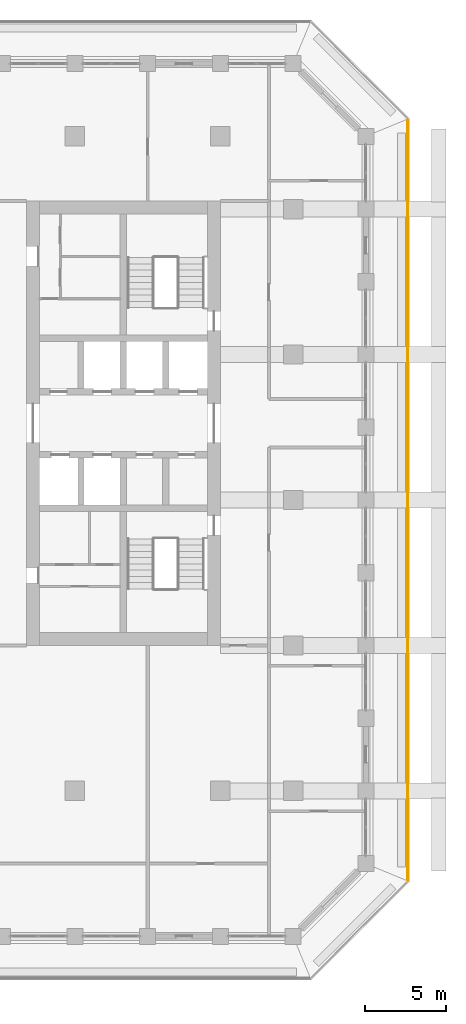
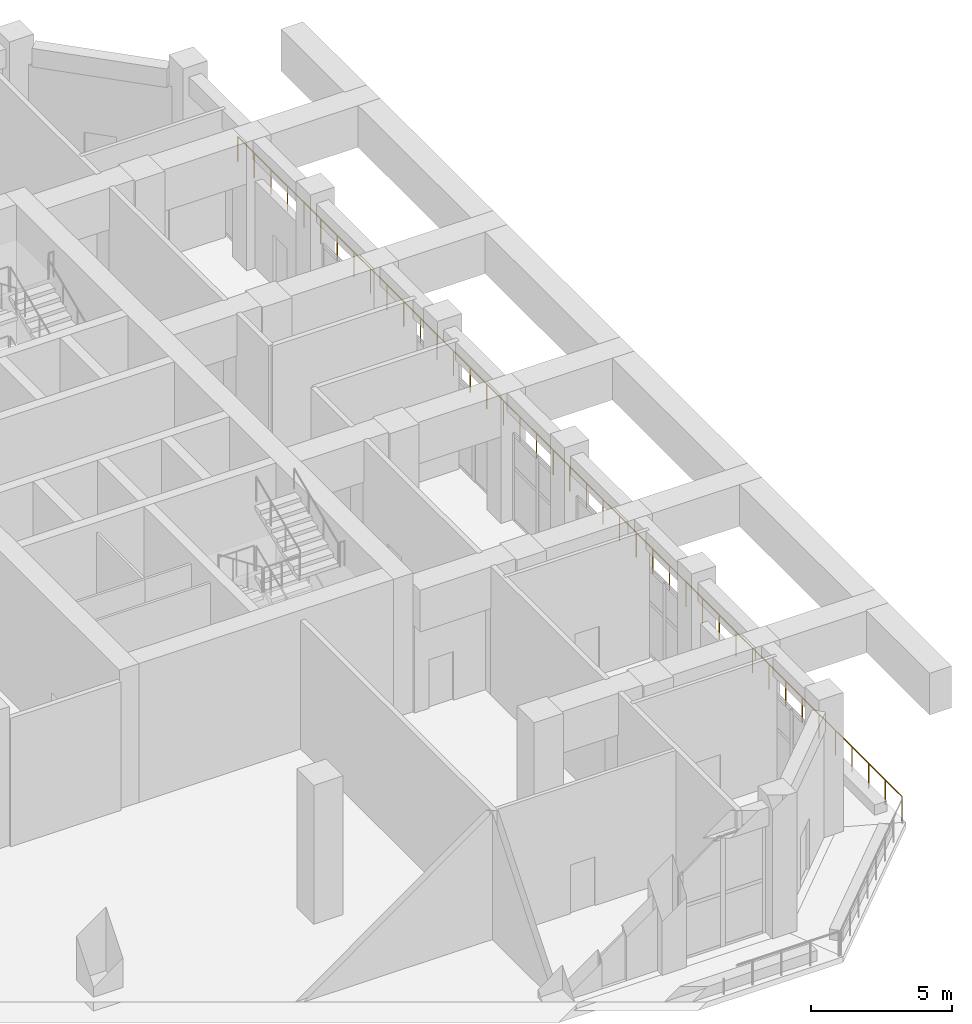
# One storey, part 21 of 25: 1 railing.
"""IFC4 building model written with IfcOpenShell, lengths in metres."""

from ifc_helpers import new_model, si_unit, direction, frame, origin, origin_2d, place, context, subcontext, project, spatial, circle, extrude, material, type_object, element, save


model = new_model("IFC4")

# Units and contexts
model_context = context("Model", 3, precision=1e-05, world=origin(), true_north=direction((0.0, 1.0)))
body_context = subcontext(model_context, "Body", "Model", "MODEL_VIEW")
ifc_project = project(units=[si_unit("LENGTHUNIT", "METRE"), si_unit("AREAUNIT", "SQUARE_METRE"), si_unit("VOLUMEUNIT", "CUBIC_METRE"), si_unit("PLANEANGLEUNIT", "RADIAN"), si_unit("MASSUNIT", "GRAM", prefix="KILO")], contexts=[model_context])

# Site, building, storey
site_placement = place(None, origin())
site = spatial("IfcSite", under=ifc_project, at=site_placement, CompositionType="ELEMENT")
building_placement = place(site_placement, origin())
building = spatial("IfcBuilding", under=site, at=building_placement, Name="Corbel Stack Research Tower", CompositionType="ELEMENT")
storey_placement = place(building_placement, frame((0.0, 0.0, 185.5)))
storey = spatial("IfcBuildingStorey", under=building, at=storey_placement, Name="L42", CompositionType="ELEMENT", Elevation=185.5)

# Railing
ifc_material = material(Name="Powder-coated steel guard", Category="steel")
railing_type = type_object("IfcRailingType", Name="Steel and glass guard 1100", PredefinedType="GUARDRAIL", material=ifc_material)
railing_placement = place(storey_placement, frame((29.60009765625, -23.50537109375, 0.0)))
element("IfcRailing", 1, at=railing_placement, inside=storey, type_object=railing_type, Name="Loggia guard L42 E", PredefinedType="GUARDRAIL", context=body_context, shape_type="SweptSolid", body=[
    extrude(circle(Radius=0.02392578125, at=origin_2d()), frame((0.0, 0.0, 1.076171875), z_axis=(0.0, 1.0, 0.0), x_axis=(-1.0, 0.0, 0.0)), (0.0, 0.0, 1.0), 47.0107421875),
    extrude(circle(Radius=0.02099609375, at=origin_2d()), origin(), (0.0, 0.0, 1.0), 1.052001953125),
    extrude(circle(Radius=0.02099609375, at=origin_2d()), frame((0.0, 1.17529296875, 0.0)), (0.0, 0.0, 1.0), 1.052001953125),
    extrude(circle(Radius=0.02099609375, at=origin_2d()), frame((0.0, 2.3505859375, 0.0)), (0.0, 0.0, 1.0), 1.052001953125),
    extrude(circle(Radius=0.02099609375, at=origin_2d()), frame((0.0, 3.52587890625, 0.0)), (0.0, 0.0, 1.0), 1.052001953125),
    extrude(circle(Radius=0.02099609375, at=origin_2d()), frame((0.0, 4.701171875, 0.0)), (0.0, 0.0, 1.0), 1.052001953125),
    extrude(circle(Radius=0.02099609375, at=origin_2d()), frame((0.0, 5.87646484375, 0.0)), (0.0, 0.0, 1.0), 1.052001953125),
    extrude(circle(Radius=0.02099609375, at=origin_2d()), frame((0.0, 7.051513671875, 0.0)), (0.0, 0.0, 1.0), 1.052001953125),
    extrude(circle(Radius=0.02099609375, at=origin_2d()), frame((0.0, 8.226806640625, 0.0)), (0.0, 0.0, 1.0), 1.052001953125),
    extrude(circle(Radius=0.02099609375, at=origin_2d()), frame((0.0, 9.402099609375, 0.0)), (0.0, 0.0, 1.0), 1.052001953125),
    extrude(circle(Radius=0.02099609375, at=origin_2d()), frame((0.0, 10.577392578125, 0.0)), (0.0, 0.0, 1.0), 1.052001953125),
    extrude(circle(Radius=0.02099609375, at=origin_2d()), frame((0.0, 11.752685546875, 0.0)), (0.0, 0.0, 1.0), 1.052001953125),
    extrude(circle(Radius=0.02099609375, at=origin_2d()), frame((0.0, 12.927978515625, 0.0)), (0.0, 0.0, 1.0), 1.052001953125),
    extrude(circle(Radius=0.02099609375, at=origin_2d()), frame((0.0, 14.103271484375, 0.0)), (0.0, 0.0, 1.0), 1.052001953125),
    extrude(circle(Radius=0.02099609375, at=origin_2d()), frame((0.0, 15.278564453125, 0.0)), (0.0, 0.0, 1.0), 1.052001953125),
    extrude(circle(Radius=0.02099609375, at=origin_2d()), frame((0.0, 16.453857421875, 0.0)), (0.0, 0.0, 1.0), 1.052001953125),
    extrude(circle(Radius=0.02099609375, at=origin_2d()), frame((0.0, 17.62890625, 0.0)), (0.0, 0.0, 1.0), 1.052001953125),
    extrude(circle(Radius=0.02099609375, at=origin_2d()), frame((0.0, 18.80419921875, 0.0)), (0.0, 0.0, 1.0), 1.052001953125),
    extrude(circle(Radius=0.02099609375, at=origin_2d()), frame((0.0, 19.9794921875, 0.0)), (0.0, 0.0, 1.0), 1.052001953125),
    extrude(circle(Radius=0.02099609375, at=origin_2d()), frame((0.0, 21.15478515625, 0.0)), (0.0, 0.0, 1.0), 1.052001953125),
    extrude(circle(Radius=0.02099609375, at=origin_2d()), frame((0.0, 22.330078125, 0.0)), (0.0, 0.0, 1.0), 1.052001953125),
    extrude(circle(Radius=0.02099609375, at=origin_2d()), frame((0.0, 23.50537109375, 0.0)), (0.0, 0.0, 1.0), 1.052001953125),
    extrude(circle(Radius=0.02099609375, at=origin_2d()), frame((0.0, 24.6806640625, 0.0)), (0.0, 0.0, 1.0), 1.052001953125),
    extrude(circle(Radius=0.02099609375, at=origin_2d()), frame((0.0, 25.85595703125, 0.0)), (0.0, 0.0, 1.0), 1.052001953125),
    extrude(circle(Radius=0.02099609375, at=origin_2d()), frame((0.0, 27.03125, 0.0)), (0.0, 0.0, 1.0), 1.052001953125),
    extrude(circle(Radius=0.02099609375, at=origin_2d()), frame((0.0, 28.20654296875, 0.0)), (0.0, 0.0, 1.0), 1.052001953125),
    extrude(circle(Radius=0.02099609375, at=origin_2d()), frame((0.0, 29.3818359375, 0.0)), (0.0, 0.0, 1.0), 1.052001953125),
    extrude(circle(Radius=0.02099609375, at=origin_2d()), frame((0.0, 30.556884765625, 0.0)), (0.0, 0.0, 1.0), 1.052001953125),
    extrude(circle(Radius=0.02099609375, at=origin_2d()), frame((0.0, 31.732177734375, 0.0)), (0.0, 0.0, 1.0), 1.052001953125),
    extrude(circle(Radius=0.02099609375, at=origin_2d()), frame((0.0, 32.907470703125, 0.0)), (0.0, 0.0, 1.0), 1.052001953125),
    extrude(circle(Radius=0.02099609375, at=origin_2d()), frame((0.0, 34.082763671875, 0.0)), (0.0, 0.0, 1.0), 1.052001953125),
    extrude(circle(Radius=0.02099609375, at=origin_2d()), frame((0.0, 35.258056640625, 0.0)), (0.0, 0.0, 1.0), 1.052001953125),
    extrude(circle(Radius=0.02099609375, at=origin_2d()), frame((0.0, 36.433349609375, 0.0)), (0.0, 0.0, 1.0), 1.052001953125),
    extrude(circle(Radius=0.02099609375, at=origin_2d()), frame((0.0, 37.608642578125, 0.0)), (0.0, 0.0, 1.0), 1.052001953125),
    extrude(circle(Radius=0.02099609375, at=origin_2d()), frame((0.0, 38.783935546875, 0.0)), (0.0, 0.0, 1.0), 1.052001953125),
    extrude(circle(Radius=0.02099609375, at=origin_2d()), frame((0.0, 39.959228515625, 0.0)), (0.0, 0.0, 1.0), 1.052001953125),
    extrude(circle(Radius=0.02099609375, at=origin_2d()), frame((0.0, 41.13427734375, 0.0)), (0.0, 0.0, 1.0), 1.052001953125),
    extrude(circle(Radius=0.02099609375, at=origin_2d()), frame((0.0, 42.3095703125, 0.0)), (0.0, 0.0, 1.0), 1.052001953125),
    extrude(circle(Radius=0.02099609375, at=origin_2d()), frame((0.0, 43.48486328125, 0.0)), (0.0, 0.0, 1.0), 1.052001953125),
    extrude(circle(Radius=0.02099609375, at=origin_2d()), frame((0.0, 44.66015625, 0.0)), (0.0, 0.0, 1.0), 1.052001953125),
    extrude(circle(Radius=0.02099609375, at=origin_2d()), frame((0.0, 45.83544921875, 0.0)), (0.0, 0.0, 1.0), 1.052001953125),
    extrude(circle(Radius=0.02099609375, at=origin_2d()), frame((0.0, 47.0107421875, 0.0)), (0.0, 0.0, 1.0), 1.052001953125),
])

save(model, "model.ifc")
